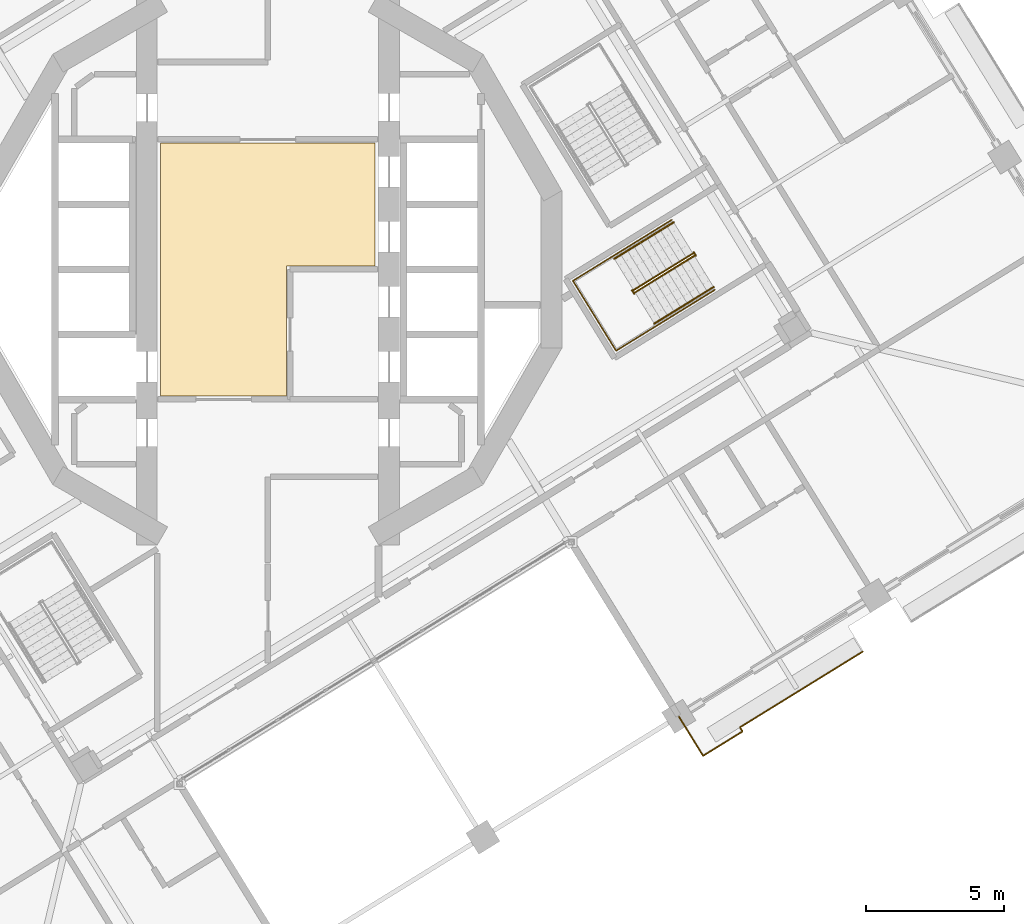
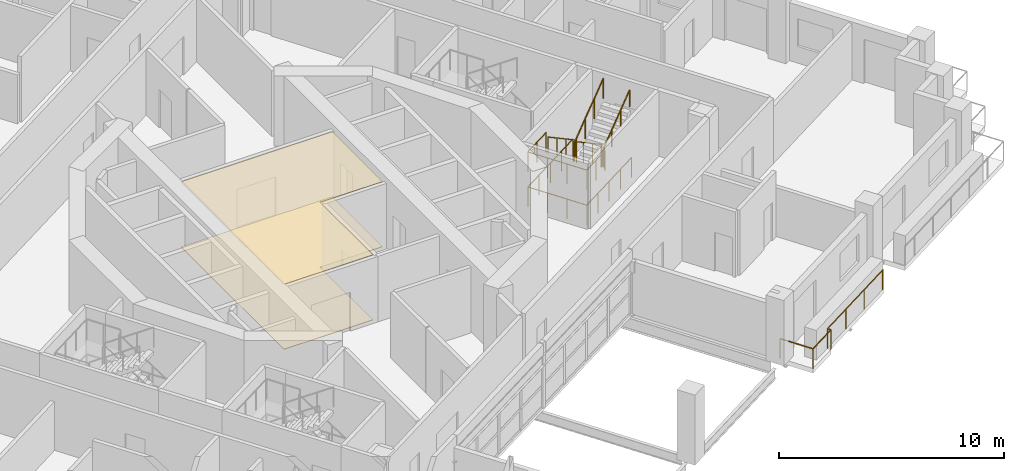
# One storey, part 18 of 22: 9 railings, 2 coverings.
"""IFC4 building model written with IfcOpenShell, lengths in metres."""

import ifcopenshell
import ifcopenshell.guid

model = None  # the IFC model being written
_history = None  # IfcOwnerHistory: only IFC2X3 demands one
_inside = {}  # id of a spatial element -> (the spatial element, [elements in it])
_under = {}  # id of a project, library or spatial element -> (it, [spatial elements below it])
_declared = {}  # id of a project -> (the project, [libraries it declares])
_typed = {}  # id of a type object -> (the type object, [elements of that type])
_made_of = {}  # id of a material, layer set ... -> (it, [elements and type objects made of it])


def new_model(schema):
    """Start an empty IFC model of exactly this schema.

    Asked for "IFC4X3", IfcOpenShell would pick the latest addendum, in which some entities
    have other attributes; the version numbers below select the first issue.
    IFC2X3 requires an IfcOwnerHistory on every rooted entity: one is made here for all.
    """
    global model, _history
    if schema == "IFC4X3":
        model = ifcopenshell.file(schema_version=(4, 3, 0, 0))
    else:
        model = ifcopenshell.file(schema=schema)
    _inside.clear()
    _under.clear()
    _declared.clear()
    _typed.clear()
    _made_of.clear()
    _history = None
    if model.schema == "IFC2X3":
        org = make("IfcOrganization", Name="unknown")
        user = make(
            "IfcPersonAndOrganization",
            ThePerson=make("IfcPerson", FamilyName="unknown"),
            TheOrganization=org,
        )
        app = make(
            "IfcApplication",
            ApplicationDeveloper=org,
            Version="unknown",
            ApplicationFullName="unknown",
            ApplicationIdentifier="unknown",
        )
        _history = make(
            "IfcOwnerHistory",
            OwningUser=user,
            OwningApplication=app,
            ChangeAction="ADDED",
            CreationDate=0,
        )
    return model


def make(cls, **values):
    """One entity of the class cls with the attributes given. An attribute that is None is left unset."""
    return model.create_entity(
        cls, **{name: value for name, value in values.items() if value is not None}
    )


def rooted(cls, **values):
    """An entity with a GlobalId (a new one), such as an element, a storey or a relation."""
    return make(cls, GlobalId=ifcopenshell.guid.new(), OwnerHistory=_history, **values)


def si_unit(unit_type, name, prefix=None):
    """IfcSIUnit, for example si_unit("LENGTHUNIT", "METRE", prefix="MILLI")."""
    return make("IfcSIUnit", UnitType=unit_type, Prefix=prefix, Name=name)


def assignment(units):
    """IfcUnitAssignment: the units of a project."""
    return None if units is None else make("IfcUnitAssignment", Units=units)


def point(xyz):
    """IfcCartesianPoint."""
    return None if xyz is None else make("IfcCartesianPoint", Coordinates=xyz)


def direction(xyz):
    """IfcDirection."""
    return None if xyz is None else make("IfcDirection", DirectionRatios=xyz)


def frame(location, z_axis=None, x_axis=None):
    """IfcAxis2Placement3D, a coordinate frame: its origin and axes. An axis left out is left unset."""
    return make(
        "IfcAxis2Placement3D",
        Location=point(location),
        Axis=direction(z_axis),
        RefDirection=direction(x_axis),
    )


def frame_2d(location, x_axis=None):
    """IfcAxis2Placement2D, a coordinate frame in the plane: its origin and x axis."""
    return make(
        "IfcAxis2Placement2D", Location=point(location), RefDirection=direction(x_axis)
    )


def origin():
    """The frame at (0, 0, 0) with its axes left unset."""
    return frame((0.0, 0.0, 0.0))


def origin_2d():
    """The frame at (0, 0) in the plane with its x axis left unset."""
    return frame_2d((0.0, 0.0))


def place(relative_to, where):
    """IfcLocalPlacement: puts the frame where relative to a parent placement (None: the world)."""
    return make(
        "IfcLocalPlacement", PlacementRelTo=relative_to, RelativePlacement=where
    )


def context(
    kind, dimensions, precision=None, world=None, true_north=None, identifier=None
):
    """IfcGeometricRepresentationContext, for example the 3D "Model" context."""
    return make(
        "IfcGeometricRepresentationContext",
        ContextIdentifier=identifier,
        ContextType=kind,
        CoordinateSpaceDimension=dimensions,
        Precision=precision,
        WorldCoordinateSystem=world,
        TrueNorth=true_north,
    )


def subcontext(parent, identifier, kind, view, scale=None):
    """IfcGeometricRepresentationSubContext, for example "Body" below "Model"."""
    return make(
        "IfcGeometricRepresentationSubContext",
        ContextIdentifier=identifier,
        ContextType=kind,
        ParentContext=parent,
        TargetScale=scale,
        TargetView=view,
    )


def project(units=None, contexts=None):
    """IfcProject with its units and contexts."""
    return rooted(
        "IfcProject",
        Name="project",
        RepresentationContexts=contexts,
        UnitsInContext=assignment(units),
    )


def spatial(cls, under=None, at=None, **own):
    """A site, building, storey or space (cls), placed at a placement, below another one or the project."""
    s = rooted(cls, ObjectPlacement=at, **own)
    if under is not None:
        _under.setdefault(under.id(), (under, []))[1].append(s)
    return s


def polyline(points):
    """IfcPolyline through the points."""
    return make("IfcPolyline", Points=[point(p) for p in points])


def profile(cls, at=None, kind="AREA", **sizes):
    """A parametric profile (cls). Its sizes go by their IFC names, for example OverallWidth=200.0."""
    return make(cls, ProfileType=kind, Position=at, **sizes)


def circle(**sizes):
    """IfcCircleProfileDef."""
    return profile("IfcCircleProfileDef", **sizes)


def outline(outer, holes=None, kind="AREA"):
    """IfcArbitraryClosedProfileDef: a profile drawn as a closed curve; with holes, ...WithVoids."""
    if holes is None:
        return make("IfcArbitraryClosedProfileDef", ProfileType=kind, OuterCurve=outer)
    return make(
        "IfcArbitraryProfileDefWithVoids",
        ProfileType=kind,
        OuterCurve=outer,
        InnerCurves=holes,
    )


def extrude(swept, where, along, depth):
    """IfcExtrudedAreaSolid: the profile swept, set in the frame where, extruded along a direction by depth."""
    return make(
        "IfcExtrudedAreaSolid",
        SweptArea=swept,
        Position=where,
        ExtrudedDirection=direction(along),
        Depth=depth,
    )


def shape(context_of_items, identifier, shape_type, items):
    """IfcShapeRepresentation: the items that make up one representation, for example the "Body"."""
    return make(
        "IfcShapeRepresentation",
        ContextOfItems=context_of_items,
        RepresentationIdentifier=identifier,
        RepresentationType=shape_type,
        Items=items,
    )


def material(Name=None, Category=None):
    """IfcMaterial."""
    return make("IfcMaterial", Name=Name, Category=Category)


def layer(
    of_material, thickness, ventilated=None, Name=None, Category=None, Priority=None
):
    """IfcMaterialLayer: one layer of a wall or slab, of a material (None: an air gap)."""
    return make(
        "IfcMaterialLayer",
        Material=of_material,
        LayerThickness=thickness,
        IsVentilated=ventilated,
        Name=Name,
        Category=Category,
        Priority=Priority,
    )


def layer_set(layers, Name=None):
    """IfcMaterialLayerSet."""
    return make("IfcMaterialLayerSet", MaterialLayers=layers, LayerSetName=Name)


def made_of(thing, what):
    """Note that an element or type object is made of a material, layer set ...; save() writes the relation."""
    if what is not None:
        _made_of.setdefault(what.id(), (what, []))[1].append(thing)
    return thing


def type_object(cls, material=None, **own):
    """A type object (cls), such as IfcWallType, which elements share."""
    return made_of(rooted(cls, **own), material)


def element(
    cls,
    number,
    at=None,
    inside=None,
    cuts=None,
    type_object=None,
    material=None,
    context=None,
    identifier="Body",
    shape_type=None,
    held_by="IfcProductDefinitionShape",
    body=None,
    shapes=None,
    **own,
):
    """One element of the class cls, such as IfcWall. Its Tag is "e" and its number.

    at: its placement. inside: the storey or other place that contains it. cuts: it is an
    opening in that element (IfcRelVoidsElement). A single representation is given by context,
    identifier, shape_type and body (its items); several are given by shapes. held_by: the class
    of the entity that holds the representations. save() writes the other relations.
    """
    e = rooted(cls, Tag="e%d" % number, ObjectPlacement=at, **own)
    if body is not None:
        shapes = [shape(context, identifier, shape_type, body)]
    if shapes is not None:
        e.Representation = make(held_by, Representations=shapes)
    if inside is not None:
        _inside.setdefault(inside.id(), (inside, []))[1].append(e)
    if cuts is not None:
        rooted(
            "IfcRelVoidsElement", RelatingBuildingElement=cuts, RelatedOpeningElement=e
        )
    if type_object is not None:
        _typed.setdefault(type_object.id(), (type_object, []))[1].append(e)
    return made_of(e, material)


def aggregate(whole, parts):
    """IfcRelAggregates: a whole, such as a stair, and the parts it consists of."""
    return rooted("IfcRelAggregates", RelatingObject=whole, RelatedObjects=parts)


def save(model, path):
    """Write the relations noted so far, then the file.

    IfcRelAggregates (storeys below a building ...), IfcRelContainedInSpatialStructure (elements
    in a storey), IfcRelDefinesByType, IfcRelAssociatesMaterial and IfcRelDeclares: one each for
    every whole, place, type object, material and project.
    """
    for whole, parts in _under.values():
        aggregate(whole, parts)
    for where, things in _inside.values():
        rooted(
            "IfcRelContainedInSpatialStructure",
            RelatedElements=things,
            RelatingStructure=where,
        )
    for kind, things in _typed.values():
        rooted("IfcRelDefinesByType", RelatedObjects=things, RelatingType=kind)
    for what, things in _made_of.values():
        rooted("IfcRelAssociatesMaterial", RelatedObjects=things, RelatingMaterial=what)
    for by, libraries in _declared.values():
        rooted("IfcRelDeclares", RelatingContext=by, RelatedDefinitions=libraries)
    model.write(path)


model = new_model("IFC4")

# Units and contexts
model_context = context("Model", 3, precision=1e-05, world=origin(), true_north=direction((0.0, 1.0)))
body_context = subcontext(model_context, "Body", "Model", "MODEL_VIEW")
ifc_project = project(units=[si_unit("LENGTHUNIT", "METRE"), si_unit("AREAUNIT", "SQUARE_METRE"), si_unit("VOLUMEUNIT", "CUBIC_METRE"), si_unit("PLANEANGLEUNIT", "RADIAN"), si_unit("MASSUNIT", "GRAM", prefix="KILO")], contexts=[model_context])

# Site, building, storey
site_placement = place(None, origin())
site = spatial("IfcSite", under=ifc_project, at=site_placement, CompositionType="ELEMENT")
building_placement = place(site_placement, origin())
building = spatial("IfcBuilding", under=site, at=building_placement, Name="Cantera Rosa Tower", CompositionType="ELEMENT")
storey_placement = place(building_placement, frame((0.0, 0.0, 174.199951171875)))
storey = spatial("IfcBuildingStorey", under=building, at=storey_placement, Name="L38", CompositionType="ELEMENT", Elevation=174.199951171875)

# Railings
ifc_material_1 = material(Name="Stainless steel and laminated glass", Category="steel")
railing_type_1 = type_object("IfcRailingType", Name="GUARD 1100", PredefinedType="BALUSTRADE", material=ifc_material_1)
railing_1_placement = place(storey_placement, frame((17.160400390625, -16.704345703125, 0.0)))
element("IfcRailing", 1, at=railing_1_placement, inside=storey, type_object=railing_type_1, Name="GUARD L38-8", PredefinedType="BALUSTRADE", context=body_context, shape_type="SweptSolid", body=[
    extrude(circle(Radius=0.030029296875, at=origin_2d()), frame((0.0, 0.0, 1.070068359375), z_axis=(-0.851117717896, -0.524974885384, 0.0), x_axis=(0.524974885384, -0.851117717896, 0.0)), (0.0, 0.0, 1.0), 1.676025390625),
    extrude(circle(Radius=0.030029296875, at=origin_2d()), frame((-1.426513671875, -0.8798828125, 1.070068359375), z_axis=(-0.524993729736, 0.85110609429, 0.0), x_axis=(-0.85110609429, -0.524993729736, 0.0)), (0.0, 0.0, 1.0), 1.656005859375),
    extrude(circle(Radius=0.02490234375, at=origin_2d()), origin(), (0.0, 0.0, 1.0), 1.0400390625),
    extrude(circle(Radius=0.02490234375, at=origin_2d()), frame((-1.426513671875, -0.8798828125, 0.0)), (0.0, 0.0, 1.0), 1.0400390625),
    extrude(circle(Radius=0.02490234375, at=origin_2d()), frame((-2.2958984375, 0.529541015625, 0.0)), (0.0, 0.0, 1.0), 1.0400390625),
])
railing_2_placement = place(storey_placement, frame((21.505615234375, -13.817138671875, 0.0)))
element("IfcRailing", 2, at=railing_2_placement, inside=storey, type_object=railing_type_1, Name="GUARD L38-9", PredefinedType="BALUSTRADE", context=body_context, shape_type="SweptSolid", body=[
    extrude(circle(Radius=0.030029296875, at=origin_2d()), frame((0.0, 0.0, 1.070068359375), z_axis=(-0.850339408664, -0.52623463405, 0.0), x_axis=(0.52623463405, -0.850339408664, 0.0)), (0.0, 0.0, 1.0), 0.070068359375),
    extrude(circle(Radius=0.030029296875, at=origin_2d()), frame((-0.0595703125, -0.036865234375, 1.070068359375), z_axis=(-0.85112174284, -0.52496835987, 0.0), x_axis=(0.52496835987, -0.85112174284, 0.0)), (0.0, 0.0, 1.0), 5.14404296875),
    extrude(circle(Radius=0.030029296875, at=origin_2d()), frame((-4.437744140625, -2.7373046875, 1.070068359375), z_axis=(0.525256814591, -0.850943757675, 0.0), x_axis=(0.850943757675, 0.525256814591, 0.0)), (0.0, 0.0, 1.0), 0.17626953125),
    extrude(circle(Radius=0.02490234375, at=origin_2d()), origin(), (0.0, 0.0, 1.0), 1.0400390625),
    extrude(circle(Radius=0.02490234375, at=origin_2d()), frame((-0.0595703125, -0.036865234375, 0.0)), (0.0, 0.0, 1.0), 1.0400390625),
    extrude(circle(Radius=0.02490234375, at=origin_2d()), frame((-1.51904296875, -0.93701171875, 0.0)), (0.0, 0.0, 1.0), 1.0400390625),
    extrude(circle(Radius=0.02490234375, at=origin_2d()), frame((-2.978271484375, -1.837158203125, 0.0)), (0.0, 0.0, 1.0), 1.0400390625),
    extrude(circle(Radius=0.02490234375, at=origin_2d()), frame((-4.437744140625, -2.7373046875, 0.0)), (0.0, 0.0, 1.0), 1.0400390625),
    extrude(circle(Radius=0.02490234375, at=origin_2d()), frame((-4.34521484375, -2.88720703125, 0.0)), (0.0, 0.0, 1.0), 1.0400390625),
])
ifc_material_2 = material(Name="Steel S355J2 (EN 10025-2)", Category="steel")
railing_type_2 = type_object("IfcRailingType", Name="STAIR GUARD 1100", PredefinedType="GUARDRAIL", material=ifc_material_2)
railing_3_placement = place(storey_placement, frame((15.36572265625, 0.57666015625, 0.18994140625)))
element("IfcRailing", 3, at=railing_3_placement, inside=storey, type_object=railing_type_2, Name="L38 ST-34 stair guard 1", PredefinedType="GUARDRAIL", context=body_context, shape_type="SweptSolid", body=[
    extrude(circle(Radius=0.02392578125, at=origin_2d()), frame((0.0, 0.0, 1.076171875), z_axis=(-0.704239673199, -0.434408057947, 0.561547969352), x_axis=(0.524999832248, -0.851102330005, 0.0)), (0.0, 0.0, 1.0), 3.04541015625),
    extrude(circle(Radius=0.02392578125, at=origin_2d()), frame((-2.144775390625, -1.322998046875, 2.7861328125), z_axis=(-0.997279572494, -0.073711968402, 0.0), x_axis=(0.073711968402, -0.997279572494, 0.0)), (0.0, 0.0, 1.0), 0.056396484375),
    extrude(circle(Radius=0.02392578125, at=origin_2d()), frame((-2.200927734375, -1.3271484375, 2.7861328125), z_axis=(0.525458245725, -0.850819388589, 0.0), x_axis=(0.850819388589, 0.525458245725, 0.0)), (0.0, 0.0, 1.0), 0.150146484375),
    extrude(circle(Radius=0.02099609375, at=origin_2d()), origin(), (0.0, 0.0, 1.0), 1.052001953125),
    extrude(circle(Radius=0.02099609375, at=origin_2d()), frame((-0.71484375, -0.44091796875, 0.570068359375)), (0.0, 0.0, 1.0), 1.052001953125),
    extrude(circle(Radius=0.02099609375, at=origin_2d()), frame((-1.429931640625, -0.882080078125, 1.14013671875)), (0.0, 0.0, 1.0), 1.052001953125),
    extrude(circle(Radius=0.02099609375, at=origin_2d()), frame((-2.144775390625, -1.322998046875, 1.710205078125)), (0.0, 0.0, 1.0), 1.052001953125),
    extrude(circle(Radius=0.02099609375, at=origin_2d()), frame((-2.200927734375, -1.3271484375, 1.710205078125)), (0.0, 0.0, 1.0), 1.052001953125),
    extrude(circle(Radius=0.02099609375, at=origin_2d()), frame((-2.1220703125, -1.454833984375, 1.710205078125)), (0.0, 0.0, 1.0), 1.052001953125),
])
railing_4_placement = place(storey_placement, frame((13.2724609375, -0.82958984375, 2.090087890625)))
element("IfcRailing", 4, at=railing_4_placement, inside=storey, type_object=railing_type_2, Name="L38 ST-34 stair guard 2", PredefinedType="GUARDRAIL", context=body_context, shape_type="SweptSolid", body=[
    extrude(circle(Radius=0.02392578125, at=origin_2d()), frame((0.0, 0.0, 1.076171875), z_axis=(0.70429590169, 0.434362572038, 0.561512634654), x_axis=(-0.524929648476, 0.851145618652, 0.0)), (0.0, 0.0, 1.0), 3.045166015625),
    extrude(circle(Radius=0.02099609375, at=origin_2d()), origin(), (0.0, 0.0, 1.0), 1.052001953125),
    extrude(circle(Radius=0.02099609375, at=origin_2d()), frame((0.71484375, 0.44091796875, 0.570068359375)), (0.0, 0.0, 1.0), 1.052001953125),
    extrude(circle(Radius=0.02099609375, at=origin_2d()), frame((1.429931640625, 0.8818359375, 1.139892578125)), (0.0, 0.0, 1.0), 1.052001953125),
    extrude(circle(Radius=0.02099609375, at=origin_2d()), frame((2.144775390625, 1.32275390625, 1.7099609375)), (0.0, 0.0, 1.0), 1.052001953125),
])
railing_5_placement = place(storey_placement, frame((15.394775390625, 0.625, 0.0)))
element("IfcRailing", 5, at=railing_5_placement, inside=storey, type_object=railing_type_2, Name="L38 ST-34 stair guard 3", PredefinedType="GUARDRAIL", context=body_context, shape_type="SweptSolid", body=[
    extrude(circle(Radius=0.02392578125, at=origin_2d()), frame((0.0, 0.0, 1.076171875), z_axis=(0.524279100842, -0.851546489876, 0.0), x_axis=(0.851546489876, 0.524279100842, 0.0)), (0.0, 0.0, 1.0), 0.14990234375),
    extrude(circle(Radius=0.02099609375, at=origin_2d()), origin(), (0.0, 0.0, 1.0), 1.052001953125),
    extrude(circle(Radius=0.02099609375, at=origin_2d()), frame((0.07861328125, -0.127685546875, 0.0)), (0.0, 0.0, 1.0), 1.052001953125),
])
railing_6_placement = place(storey_placement, frame((14.601806640625, 1.79248046875, 0.0)))
element("IfcRailing", 6, at=railing_6_placement, inside=storey, type_object=railing_type_2, Name="L38 ST-34 stair guard 4", PredefinedType="GUARDRAIL", context=body_context, shape_type="SweptSolid", body=[
    extrude(circle(Radius=0.02392578125, at=origin_2d()), frame((0.0, 0.0, 1.076171875), z_axis=(-0.851116735059, -0.524976478809, 0.0), x_axis=(0.524976478809, -0.851116735059, 0.0)), (0.0, 0.0, 1.0), 4.197998046875),
    extrude(circle(Radius=0.02392578125, at=origin_2d()), frame((-3.572998046875, -2.203857421875, 1.076171875), z_axis=(0.524950242429, -0.851132917336, 0.0), x_axis=(0.851132917336, 0.524950242429, 0.0)), (0.0, 0.0, 1.0), 2.969970703125),
    extrude(circle(Radius=0.02392578125, at=origin_2d()), frame((-2.013916015625, -4.731689453125, 1.076171875), z_axis=(0.851116735059, 0.524976478809, 0.0), x_axis=(-0.524976478809, 0.851116735059, 0.0)), (0.0, 0.0, 1.0), 4.197998046875),
    extrude(circle(Radius=0.02099609375, at=origin_2d()), origin(), (0.0, 0.0, 1.0), 1.052001953125),
    extrude(circle(Radius=0.02099609375, at=origin_2d()), frame((-0.893310546875, -0.551025390625, 0.0)), (0.0, 0.0, 1.0), 1.052001953125),
    extrude(circle(Radius=0.02099609375, at=origin_2d()), frame((-1.78662109375, -1.10205078125, 0.0)), (0.0, 0.0, 1.0), 1.052001953125),
    extrude(circle(Radius=0.02099609375, at=origin_2d()), frame((-2.6796875, -1.65283203125, 0.0)), (0.0, 0.0, 1.0), 1.052001953125),
    extrude(circle(Radius=0.02099609375, at=origin_2d()), frame((-3.572998046875, -2.203857421875, 0.0)), (0.0, 0.0, 1.0), 1.052001953125),
    extrude(circle(Radius=0.02099609375, at=origin_2d()), frame((-3.05322265625, -3.04638671875, 0.0)), (0.0, 0.0, 1.0), 1.052001953125),
    extrude(circle(Radius=0.02099609375, at=origin_2d()), frame((-2.53369140625, -3.88916015625, 0.0)), (0.0, 0.0, 1.0), 1.052001953125),
    extrude(circle(Radius=0.02099609375, at=origin_2d()), frame((-2.013916015625, -4.731689453125, 0.0)), (0.0, 0.0, 1.0), 1.052001953125),
    extrude(circle(Radius=0.02099609375, at=origin_2d()), frame((-1.12060546875, -4.1806640625, 0.0)), (0.0, 0.0, 1.0), 1.052001953125),
    extrude(circle(Radius=0.02099609375, at=origin_2d()), frame((-0.2275390625, -3.6298828125, 0.0)), (0.0, 0.0, 1.0), 1.052001953125),
    extrude(circle(Radius=0.02099609375, at=origin_2d()), frame((0.665771484375, -3.078857421875, 0.0)), (0.0, 0.0, 1.0), 1.052001953125),
    extrude(circle(Radius=0.02099609375, at=origin_2d()), frame((1.55908203125, -2.52783203125, 0.0)), (0.0, 0.0, 1.0), 1.052001953125),
])
railing_7_placement = place(storey_placement, frame((12.477294921875, 0.482177734375, 1.900146484375)))
element("IfcRailing", 7, at=railing_7_placement, inside=storey, type_object=railing_type_2, Name="L38 ST-34 stair guard 5", PredefinedType="GUARDRAIL", context=body_context, shape_type="SweptSolid", body=[
    extrude(circle(Radius=0.02392578125, at=origin_2d()), frame((0.0, 0.0, 1.076171875), z_axis=(-0.851086474909, -0.525025534833, 0.0), x_axis=(0.525025534833, -0.851086474909, 0.0)), (0.0, 0.0, 1.0), 1.701904296875),
    extrude(circle(Radius=0.02392578125, at=origin_2d()), frame((-1.448486328125, -0.8935546875, 1.076171875), z_axis=(0.524950242429, -0.851132917336, 0.0), x_axis=(0.851132917336, 0.524950242429, 0.0)), (0.0, 0.0, 1.0), 2.969970703125),
    extrude(circle(Radius=0.02392578125, at=origin_2d()), frame((0.110595703125, -3.42138671875, 1.076171875), z_axis=(0.851126009811, 0.524961441845, 0.0), x_axis=(-0.524961441845, 0.851126009811, 0.0)), (0.0, 0.0, 1.0), 1.7021484375),
    extrude(circle(Radius=0.02099609375, at=origin_2d()), origin(), (0.0, 0.0, 1.0), 1.052001953125),
    extrude(circle(Radius=0.02099609375, at=origin_2d()), frame((-0.72412109375, -0.44677734375, 0.0)), (0.0, 0.0, 1.0), 1.052001953125),
    extrude(circle(Radius=0.02099609375, at=origin_2d()), frame((-1.448486328125, -0.8935546875, 0.0)), (0.0, 0.0, 1.0), 1.052001953125),
    extrude(circle(Radius=0.02099609375, at=origin_2d()), frame((-0.9287109375, -1.736083984375, 0.0)), (0.0, 0.0, 1.0), 1.052001953125),
    extrude(circle(Radius=0.02099609375, at=origin_2d()), frame((-0.4091796875, -2.578857421875, 0.0)), (0.0, 0.0, 1.0), 1.052001953125),
    extrude(circle(Radius=0.02099609375, at=origin_2d()), frame((0.110595703125, -3.42138671875, 0.0)), (0.0, 0.0, 1.0), 1.052001953125),
    extrude(circle(Radius=0.02099609375, at=origin_2d()), frame((0.8349609375, -2.974609375, 0.0)), (0.0, 0.0, 1.0), 1.052001953125),
    extrude(circle(Radius=0.02099609375, at=origin_2d()), frame((1.559326171875, -2.52783203125, 0.0)), (0.0, 0.0, 1.0), 1.052001953125),
])
ifc_material_3 = material(Name="Steel S355J2 (EN 10025-2)", Category="steel")
railing_type_3 = type_object("IfcRailingType", Name="STAIR HANDRAIL 900", PredefinedType="HANDRAIL", material=ifc_material_3)
railing_8_placement = place(storey_placement, frame((14.669677734375, 1.705322265625, 0.18994140625)))
element("IfcRailing", 8, at=railing_8_placement, inside=storey, type_object=railing_type_3, Name="L38 ST-34 stair handrail 1", PredefinedType="HANDRAIL", context=body_context, shape_type="SweptSolid", body=[
    extrude(circle(Radius=0.02392578125, at=origin_2d()), frame((0.0, 0.0, 0.8759765625), z_axis=(-0.704239673199, -0.434408057947, 0.561547969352), x_axis=(0.524999832248, -0.851102330005, 0.0)), (0.0, 0.0, 1.0), 3.04541015625),
    extrude(circle(Radius=0.02099609375, at=origin_2d()), origin(), (0.0, 0.0, 1.0), 0.851806640625),
    extrude(circle(Radius=0.02099609375, at=origin_2d()), frame((-0.71484375, -0.44091796875, 0.570068359375)), (0.0, 0.0, 1.0), 0.851806640625),
    extrude(circle(Radius=0.02099609375, at=origin_2d()), frame((-1.429931640625, -0.882080078125, 1.14013671875)), (0.0, 0.0, 1.0), 0.851806640625),
    extrude(circle(Radius=0.02099609375, at=origin_2d()), frame((-2.144775390625, -1.322998046875, 1.710205078125)), (0.0, 0.0, 1.0), 0.851806640625),
])
railing_9_placement = place(storey_placement, frame((13.968505859375, -1.958251953125, 2.090087890625)))
element("IfcRailing", 9, at=railing_9_placement, inside=storey, type_object=railing_type_3, Name="L38 ST-34 stair handrail 2", PredefinedType="HANDRAIL", context=body_context, shape_type="SweptSolid", body=[
    extrude(circle(Radius=0.02392578125, at=origin_2d()), frame((0.0, 0.0, 0.8759765625), z_axis=(0.704311776172, 0.434403086168, 0.561461379502), x_axis=(-0.524956545799, 0.851129029597, 0.0)), (0.0, 0.0, 1.0), 3.045654296875),
    extrude(circle(Radius=0.02099609375, at=origin_2d()), origin(), (0.0, 0.0, 1.0), 0.851806640625),
    extrude(circle(Radius=0.02099609375, at=origin_2d()), frame((0.715087890625, 0.44091796875, 0.570068359375)), (0.0, 0.0, 1.0), 0.851806640625),
    extrude(circle(Radius=0.02099609375, at=origin_2d()), frame((1.429931640625, 0.882080078125, 1.139892578125)), (0.0, 0.0, 1.0), 0.851806640625),
    extrude(circle(Radius=0.02099609375, at=origin_2d()), frame((2.14501953125, 1.322998046875, 1.7099609375)), (0.0, 0.0, 1.0), 0.851806640625),
])

# Coverings
ifc_material_4 = material(Name="Limestone paving", Category="masonry")
ifc_layer_1 = layer(ifc_material_4, 0.02490234375)
ifc_layer_set_1 = layer_set([ifc_layer_1], Name="STONE FLOOR FINISH 25")
covering_type_1 = type_object("IfcCoveringType", Name="STONE FLOOR FINISH 25", PredefinedType="FLOORING", material=ifc_layer_set_1)
covering_1_placement = place(storey_placement, origin())
element("IfcCovering", 10, at=covering_1_placement, inside=storey, type_object=covering_type_1, Name="STONE FLOOR FINISH L38", PredefinedType="FLOORING", context=body_context, shape_type="SweptSolid", body=[
    extrude(outline(polyline([(3.8798828125, 4.580078125), (3.8798828125, 0.1201171875), (0.679931640625, 0.1201171875), (0.679931640625, -4.580078125), (-3.8798828125, -4.580078125), (-3.8798828125, 4.580078125), (3.8798828125, 4.580078125)])), origin(), (0.0, 0.0, 1.0), 0.025146484375),
])
ifc_material_5 = material(Name="Gypsum ceiling tile")
ifc_layer_2 = layer(ifc_material_5, 0.030029296875)
ifc_layer_set_2 = layer_set([ifc_layer_2], Name="SUSPENDED CEILING 30")
covering_type_2 = type_object("IfcCoveringType", Name="SUSPENDED CEILING 30", PredefinedType="CEILING", material=ifc_layer_set_2)
covering_2_placement = place(storey_placement, frame((0.0, 0.0, 3.52001953125)))
element("IfcCovering", 11, at=covering_2_placement, inside=storey, type_object=covering_type_2, Name="SUSPENDED CEILING L38", PredefinedType="CEILING", context=body_context, shape_type="SweptSolid", body=[
    extrude(outline(polyline([(3.8798828125, 4.580078125), (3.8798828125, 0.1201171875), (0.679931640625, 0.1201171875), (0.679931640625, -4.580078125), (-3.8798828125, -4.580078125), (-3.8798828125, 4.580078125), (3.8798828125, 4.580078125)])), origin(), (0.0, 0.0, 1.0), 0.030029296875),
])

save(model, "model.ifc")
